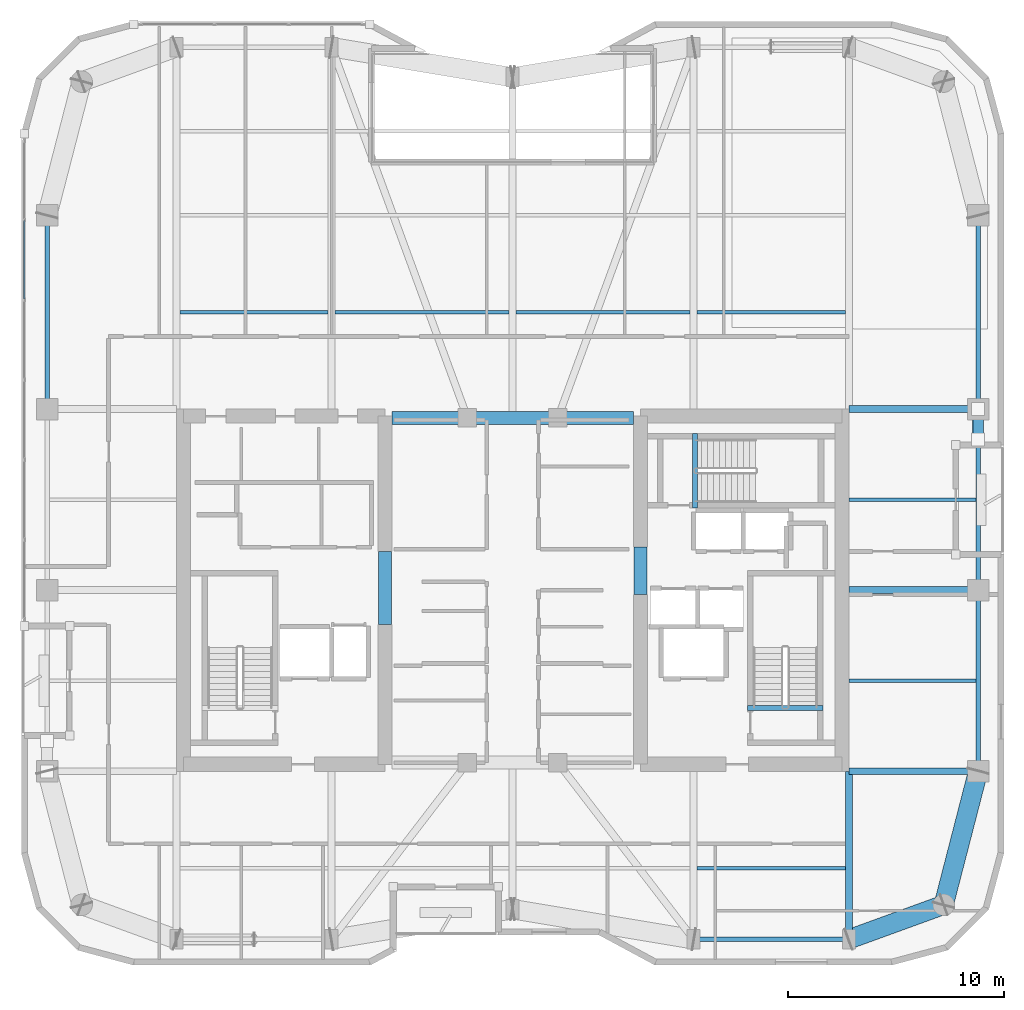
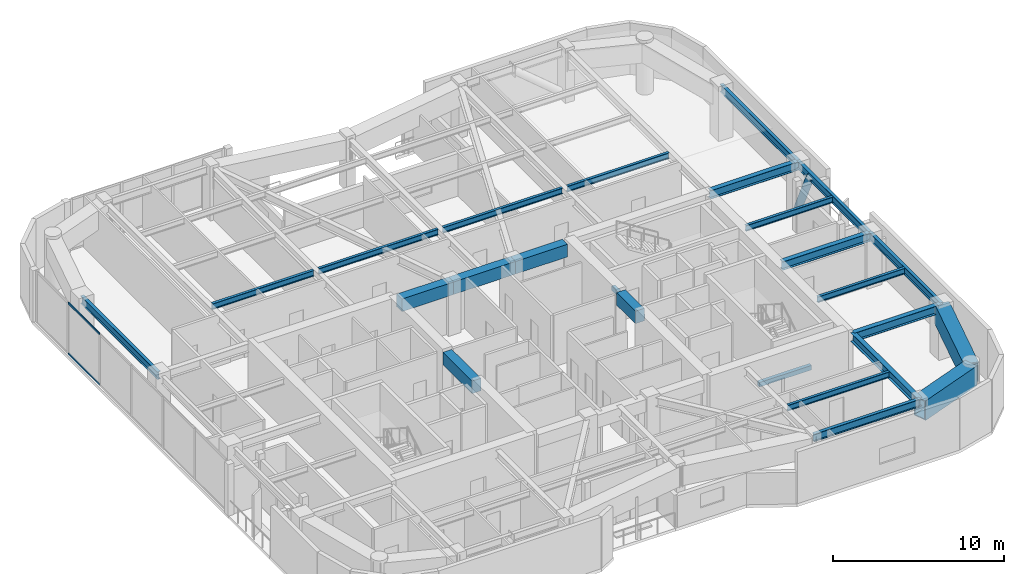
# One storey, part 5 of 22: 25 beams, 3 members, 1 element without a shape of its own.
"""IFC4 building model written with IfcOpenShell, lengths in metres."""

import ifcopenshell
import ifcopenshell.guid

model = None  # the IFC model being written
_history = None  # IfcOwnerHistory: only IFC2X3 demands one
_inside = {}  # id of a spatial element -> (the spatial element, [elements in it])
_under = {}  # id of a project, library or spatial element -> (it, [spatial elements below it])
_declared = {}  # id of a project -> (the project, [libraries it declares])
_typed = {}  # id of a type object -> (the type object, [elements of that type])
_made_of = {}  # id of a material, layer set ... -> (it, [elements and type objects made of it])


def new_model(schema):
    """Start an empty IFC model of exactly this schema.

    Asked for "IFC4X3", IfcOpenShell would pick the latest addendum, in which some entities
    have other attributes; the version numbers below select the first issue.
    IFC2X3 requires an IfcOwnerHistory on every rooted entity: one is made here for all.
    """
    global model, _history
    if schema == "IFC4X3":
        model = ifcopenshell.file(schema_version=(4, 3, 0, 0))
    else:
        model = ifcopenshell.file(schema=schema)
    _inside.clear()
    _under.clear()
    _declared.clear()
    _typed.clear()
    _made_of.clear()
    _history = None
    if model.schema == "IFC2X3":
        org = make("IfcOrganization", Name="unknown")
        user = make(
            "IfcPersonAndOrganization",
            ThePerson=make("IfcPerson", FamilyName="unknown"),
            TheOrganization=org,
        )
        app = make(
            "IfcApplication",
            ApplicationDeveloper=org,
            Version="unknown",
            ApplicationFullName="unknown",
            ApplicationIdentifier="unknown",
        )
        _history = make(
            "IfcOwnerHistory",
            OwningUser=user,
            OwningApplication=app,
            ChangeAction="ADDED",
            CreationDate=0,
        )
    return model


def make(cls, **values):
    """One entity of the class cls with the attributes given. An attribute that is None is left unset."""
    return model.create_entity(
        cls, **{name: value for name, value in values.items() if value is not None}
    )


def rooted(cls, **values):
    """An entity with a GlobalId (a new one), such as an element, a storey or a relation."""
    return make(cls, GlobalId=ifcopenshell.guid.new(), OwnerHistory=_history, **values)


def si_unit(unit_type, name, prefix=None):
    """IfcSIUnit, for example si_unit("LENGTHUNIT", "METRE", prefix="MILLI")."""
    return make("IfcSIUnit", UnitType=unit_type, Prefix=prefix, Name=name)


def assignment(units):
    """IfcUnitAssignment: the units of a project."""
    return None if units is None else make("IfcUnitAssignment", Units=units)


def point(xyz):
    """IfcCartesianPoint."""
    return None if xyz is None else make("IfcCartesianPoint", Coordinates=xyz)


def direction(xyz):
    """IfcDirection."""
    return None if xyz is None else make("IfcDirection", DirectionRatios=xyz)


def frame(location, z_axis=None, x_axis=None):
    """IfcAxis2Placement3D, a coordinate frame: its origin and axes. An axis left out is left unset."""
    return make(
        "IfcAxis2Placement3D",
        Location=point(location),
        Axis=direction(z_axis),
        RefDirection=direction(x_axis),
    )


def frame_2d(location, x_axis=None):
    """IfcAxis2Placement2D, a coordinate frame in the plane: its origin and x axis."""
    return make(
        "IfcAxis2Placement2D", Location=point(location), RefDirection=direction(x_axis)
    )


def origin():
    """The frame at (0, 0, 0) with its axes left unset."""
    return frame((0.0, 0.0, 0.0))


def origin_2d():
    """The frame at (0, 0) in the plane with its x axis left unset."""
    return frame_2d((0.0, 0.0))


def place(relative_to, where):
    """IfcLocalPlacement: puts the frame where relative to a parent placement (None: the world)."""
    return make(
        "IfcLocalPlacement", PlacementRelTo=relative_to, RelativePlacement=where
    )


def context(
    kind, dimensions, precision=None, world=None, true_north=None, identifier=None
):
    """IfcGeometricRepresentationContext, for example the 3D "Model" context."""
    return make(
        "IfcGeometricRepresentationContext",
        ContextIdentifier=identifier,
        ContextType=kind,
        CoordinateSpaceDimension=dimensions,
        Precision=precision,
        WorldCoordinateSystem=world,
        TrueNorth=true_north,
    )


def subcontext(parent, identifier, kind, view, scale=None):
    """IfcGeometricRepresentationSubContext, for example "Body" below "Model"."""
    return make(
        "IfcGeometricRepresentationSubContext",
        ContextIdentifier=identifier,
        ContextType=kind,
        ParentContext=parent,
        TargetScale=scale,
        TargetView=view,
    )


def project(units=None, contexts=None):
    """IfcProject with its units and contexts."""
    return rooted(
        "IfcProject",
        Name="project",
        RepresentationContexts=contexts,
        UnitsInContext=assignment(units),
    )


def spatial(cls, under=None, at=None, **own):
    """A site, building, storey or space (cls), placed at a placement, below another one or the project."""
    s = rooted(cls, ObjectPlacement=at, **own)
    if under is not None:
        _under.setdefault(under.id(), (under, []))[1].append(s)
    return s


def profile(cls, at=None, kind="AREA", **sizes):
    """A parametric profile (cls). Its sizes go by their IFC names, for example OverallWidth=200.0."""
    return make(cls, ProfileType=kind, Position=at, **sizes)


def rectangle(**sizes):
    """IfcRectangleProfileDef."""
    return profile("IfcRectangleProfileDef", **sizes)


def hollow_rectangle(**sizes):
    """IfcRectangleHollowProfileDef."""
    return profile("IfcRectangleHollowProfileDef", **sizes)


def hollow_circle(**sizes):
    """IfcCircleHollowProfileDef."""
    return profile("IfcCircleHollowProfileDef", **sizes)


def i_section(**sizes):
    """IfcIShapeProfileDef."""
    return profile("IfcIShapeProfileDef", **sizes)


def extrude(swept, where, along, depth):
    """IfcExtrudedAreaSolid: the profile swept, set in the frame where, extruded along a direction by depth."""
    return make(
        "IfcExtrudedAreaSolid",
        SweptArea=swept,
        Position=where,
        ExtrudedDirection=direction(along),
        Depth=depth,
    )


def shape(context_of_items, identifier, shape_type, items):
    """IfcShapeRepresentation: the items that make up one representation, for example the "Body"."""
    return make(
        "IfcShapeRepresentation",
        ContextOfItems=context_of_items,
        RepresentationIdentifier=identifier,
        RepresentationType=shape_type,
        Items=items,
    )


def material(Name=None, Category=None):
    """IfcMaterial."""
    return make("IfcMaterial", Name=Name, Category=Category)


def layer(
    of_material, thickness, ventilated=None, Name=None, Category=None, Priority=None
):
    """IfcMaterialLayer: one layer of a wall or slab, of a material (None: an air gap)."""
    return make(
        "IfcMaterialLayer",
        Material=of_material,
        LayerThickness=thickness,
        IsVentilated=ventilated,
        Name=Name,
        Category=Category,
        Priority=Priority,
    )


def layer_set(layers, Name=None):
    """IfcMaterialLayerSet."""
    return make("IfcMaterialLayerSet", MaterialLayers=layers, LayerSetName=Name)


def material_profile(
    of_material, cross_section, Name=None, Category=None, Priority=None
):
    """IfcMaterialProfile: a cross section and its material."""
    return make(
        "IfcMaterialProfile",
        Name=Name,
        Material=of_material,
        Profile=cross_section,
        Priority=Priority,
        Category=Category,
    )


def profile_set(profiles, Name=None, composite=None):
    """IfcMaterialProfileSet."""
    return make(
        "IfcMaterialProfileSet",
        Name=Name,
        MaterialProfiles=profiles,
        CompositeProfile=composite,
    )


def made_of(thing, what):
    """Note that an element or type object is made of a material, layer set ...; save() writes the relation."""
    if what is not None:
        _made_of.setdefault(what.id(), (what, []))[1].append(thing)
    return thing


def type_object(cls, material=None, **own):
    """A type object (cls), such as IfcWallType, which elements share."""
    return made_of(rooted(cls, **own), material)


def element(
    cls,
    number,
    at=None,
    inside=None,
    cuts=None,
    type_object=None,
    material=None,
    context=None,
    identifier="Body",
    shape_type=None,
    held_by="IfcProductDefinitionShape",
    body=None,
    shapes=None,
    **own,
):
    """One element of the class cls, such as IfcWall. Its Tag is "e" and its number.

    at: its placement. inside: the storey or other place that contains it. cuts: it is an
    opening in that element (IfcRelVoidsElement). A single representation is given by context,
    identifier, shape_type and body (its items); several are given by shapes. held_by: the class
    of the entity that holds the representations. save() writes the other relations.
    """
    e = rooted(cls, Tag="e%d" % number, ObjectPlacement=at, **own)
    if body is not None:
        shapes = [shape(context, identifier, shape_type, body)]
    if shapes is not None:
        e.Representation = make(held_by, Representations=shapes)
    if inside is not None:
        _inside.setdefault(inside.id(), (inside, []))[1].append(e)
    if cuts is not None:
        rooted(
            "IfcRelVoidsElement", RelatingBuildingElement=cuts, RelatedOpeningElement=e
        )
    if type_object is not None:
        _typed.setdefault(type_object.id(), (type_object, []))[1].append(e)
    return made_of(e, material)


def aggregate(whole, parts):
    """IfcRelAggregates: a whole, such as a stair, and the parts it consists of."""
    return rooted("IfcRelAggregates", RelatingObject=whole, RelatedObjects=parts)


def save(model, path):
    """Write the relations noted so far, then the file.

    IfcRelAggregates (storeys below a building ...), IfcRelContainedInSpatialStructure (elements
    in a storey), IfcRelDefinesByType, IfcRelAssociatesMaterial and IfcRelDeclares: one each for
    every whole, place, type object, material and project.
    """
    for whole, parts in _under.values():
        aggregate(whole, parts)
    for where, things in _inside.values():
        rooted(
            "IfcRelContainedInSpatialStructure",
            RelatedElements=things,
            RelatingStructure=where,
        )
    for kind, things in _typed.values():
        rooted("IfcRelDefinesByType", RelatedObjects=things, RelatingType=kind)
    for what, things in _made_of.values():
        rooted("IfcRelAssociatesMaterial", RelatedObjects=things, RelatingMaterial=what)
    for by, libraries in _declared.values():
        rooted("IfcRelDeclares", RelatingContext=by, RelatedDefinitions=libraries)
    model.write(path)


model = new_model("IFC4")

# Units and contexts
model_context = context("Model", 3, precision=1e-05, world=origin(), true_north=direction((0.0, 1.0)))
body_context = subcontext(model_context, "Body", "Model", "MODEL_VIEW")
ifc_project = project(units=[si_unit("LENGTHUNIT", "METRE"), si_unit("AREAUNIT", "SQUARE_METRE"), si_unit("VOLUMEUNIT", "CUBIC_METRE"), si_unit("PLANEANGLEUNIT", "RADIAN"), si_unit("MASSUNIT", "GRAM", prefix="KILO")], contexts=[model_context])

# Site, building, storey
site_placement = place(None, origin())
site = spatial("IfcSite", under=ifc_project, at=site_placement, CompositionType="ELEMENT")
building_placement = place(site_placement, origin())
building = spatial("IfcBuilding", under=site, at=building_placement, Name="Kiyonajd Concourse Tower", CompositionType="ELEMENT")
storey_placement = place(building_placement, frame((0.0, 0.0, 243.300048828125)))
storey = spatial("IfcBuildingStorey", under=building, at=storey_placement, Name="L61", CompositionType="ELEMENT", Elevation=243.300048828125)

# Beams
ifc_material_1 = material(Name="Concrete C60/75", Category="concrete")
ifc_material_profile_1 = material_profile(ifc_material_1, rectangle(XDim=0.60009765625, YDim=0.89990234375, at=origin_2d()), Name="RCBM-600x900")
ifc_profile_set_1 = profile_set([ifc_material_profile_1], Name="Concrete C60/75")
beam_type_1 = type_object("IfcBeamType", Name="BM-COUP-900", PredefinedType="LINTEL", material=ifc_profile_set_1)
beam_1_placement = place(storey_placement, frame((42.39990234375, 44.0, 3.22998046875), z_axis=(1.0, 0.0, 0.0), x_axis=(0.0, 1.0, 0.0)))
element("IfcBeam", 1, at=beam_1_placement, inside=storey, type_object=beam_type_1, Name="L61 Core Coupling Beam N1", PredefinedType="LINTEL", context=body_context, shape_type="SweptSolid", body=[
    extrude(rectangle(XDim=0.60009765625, YDim=0.89990234375, at=origin_2d()), origin(), (0.0, 0.0, 1.0), 3.5),
])
beam_2_placement = place(storey_placement, frame((45.89990234375, 44.0, 3.22998046875), z_axis=(1.0, 0.0, 0.0), x_axis=(0.0, 1.0, 0.0)))
element("IfcBeam", 2, at=beam_2_placement, inside=storey, type_object=beam_type_1, Name="L61 Core Coupling Beam N2", PredefinedType="LINTEL", context=body_context, shape_type="SweptSolid", body=[
    extrude(rectangle(XDim=0.60009765625, YDim=0.89990234375, at=origin_2d()), origin(), (0.0, 0.0, 1.0), 4.2001953125),
])
beam_3_placement = place(storey_placement, frame((50.10009765625, 44.0, 3.22998046875), z_axis=(1.0, 0.0, 0.0), x_axis=(0.0, 1.0, 0.0)))
element("IfcBeam", 3, at=beam_3_placement, inside=storey, type_object=beam_type_1, Name="L61 Core Coupling Beam N3", PredefinedType="LINTEL", context=body_context, shape_type="SweptSolid", body=[
    extrude(rectangle(XDim=0.60009765625, YDim=0.89990234375, at=origin_2d()), origin(), (0.0, 0.0, 1.0), 3.5),
])
beam_4_placement = place(storey_placement, frame((42.074951171875, 34.39990234375, 3.22998046875), z_axis=(0.0, 1.0, 0.0), x_axis=(-1.0, 0.0, 0.0)))
element("IfcBeam", 4, at=beam_4_placement, inside=storey, type_object=beam_type_1, Name="L61 West Core Throat Coupling Lintel", PredefinedType="LINTEL", context=body_context, shape_type="SweptSolid", body=[
    extrude(rectangle(XDim=0.60009765625, YDim=0.89990234375, at=origin_2d()), origin(), (0.0, 0.0, 1.0), 3.400146484375),
])
beam_5_placement = place(storey_placement, frame((53.925048828125, 35.800048828125, 3.22998046875), z_axis=(0.0, 1.0, 0.0), x_axis=(-1.0, 0.0, 0.0)))
element("IfcBeam", 5, at=beam_5_placement, inside=storey, type_object=beam_type_1, Name="L61 East Core Throat Coupling Lintel", PredefinedType="LINTEL", context=body_context, shape_type="SweptSolid", body=[
    extrude(rectangle(XDim=0.60009765625, YDim=0.89990234375, at=origin_2d()), origin(), (0.0, 0.0, 1.0), 2.199951171875),
])
ifc_material_2 = material(Name="Steel ASTM A992 Grade 50", Category="steel")
ifc_material_profile_2 = material_profile(ifc_material_2, i_section(OverallWidth=0.180908203125, OverallDepth=0.4169921875, WebThickness=0.010986328125, FlangeThickness=0.018310546875, at=origin_2d()), Name="W410X85")
ifc_profile_set_2 = profile_set([ifc_material_profile_2], Name="Steel ASTM A992 Grade 50")
beam_type_2 = type_object("IfcBeamType", Name="BM-JST-410", PredefinedType="JOIST", material=ifc_profile_set_2)
for number, where, z_axis, x_axis, name in (
    (6, (56.56201171875, 23.10009765625, 3.471435546875), (1.0, 0.0, 0.0), (0.0, 1.0, 0.0), "L61 Secondary Floor Joist"),
    (7, (32.56201171875, 48.89990234375, 3.471435546875), (1.0, 0.0, 0.0), (0.0, 1.0, 0.0), "L61 Secondary Floor Joist"),
):
    element("IfcBeam", number, at=place(storey_placement, frame(where, z_axis=z_axis, x_axis=x_axis)), inside=storey, type_object=beam_type_2, Name=name, PredefinedType="JOIST", context=body_context, shape_type="SweptSolid", body=[
        extrude(i_section(OverallWidth=0.180908203125, OverallDepth=0.4169921875, WebThickness=0.010986328125, FlangeThickness=0.018310546875, at=origin_2d()), origin(), (0.0, 0.0, 1.0), 6.8759765625),
    ])
for number, where, z_axis, x_axis, name in (
    (8, (39.761962890625, 48.89990234375, 3.471435546875), (1.0, 0.0, 0.0), (0.0, 1.0, 0.0), "L61 Secondary Floor Joist"),
    (9, (48.162109375, 48.89990234375, 3.471435546875), (1.0, 0.0, 0.0), (0.0, 1.0, 0.0), "L61 Secondary Floor Joist"),
):
    element("IfcBeam", number, at=place(storey_placement, frame(where, z_axis=z_axis, x_axis=x_axis)), inside=storey, type_object=beam_type_2, Name=name, PredefinedType="JOIST", context=body_context, shape_type="SweptSolid", body=[
        extrude(i_section(OverallWidth=0.180908203125, OverallDepth=0.4169921875, WebThickness=0.010986328125, FlangeThickness=0.018310546875, at=origin_2d()), origin(), (0.0, 0.0, 1.0), 8.075927734375),
    ])
beam_6_placement = place(storey_placement, frame((56.56201171875, 48.89990234375, 3.471435546875), z_axis=(1.0, 0.0, 0.0), x_axis=(0.0, 1.0, 0.0)))
element("IfcBeam", 10, at=beam_6_placement, inside=storey, type_object=beam_type_2, Name="L61 Secondary Floor Joist", PredefinedType="JOIST", context=body_context, shape_type="SweptSolid", body=[
    extrude(i_section(OverallWidth=0.180908203125, OverallDepth=0.4169921875, WebThickness=0.010986328125, FlangeThickness=0.018310546875, at=origin_2d()), origin(), (0.0, 0.0, 1.0), 6.8759765625),
])
for number, where, z_axis, x_axis, name in (
    (11, (63.60009765625, 31.800048828125, 3.471435546875), (1.0, 0.0, 0.0), (0.0, 1.0, 0.0), "L61 East Secondary Floor Joist"),
    (12, (63.60009765625, 40.199951171875, 3.471435546875), (1.0, 0.0, 0.0), (0.0, 1.0, 0.0), "L61 East Secondary Floor Joist"),
):
    element("IfcBeam", number, at=place(storey_placement, frame(where, z_axis=z_axis, x_axis=x_axis)), inside=storey, type_object=beam_type_2, Name=name, PredefinedType="JOIST", context=body_context, shape_type="SweptSolid", body=[
        extrude(i_section(OverallWidth=0.180908203125, OverallDepth=0.4169921875, WebThickness=0.010986328125, FlangeThickness=0.018310546875, at=origin_2d()), origin(), (0.0, 0.0, 1.0), 5.892822265625),
    ])
ifc_material_3 = material(Name="Concrete C50/60", Category="concrete")
ifc_material_profile_3 = material_profile(ifc_material_3, rectangle(XDim=0.239990234375, YDim=0.320068359375, at=origin_2d()), Name="RCBM-240x320")
ifc_profile_set_3 = profile_set([ifc_material_profile_3], Name="Concrete C50/60")
beam_type_3 = type_object("IfcBeamType", Name="BM-LNT-250", PredefinedType="LINTEL", material=ifc_profile_set_3)
beam_7_placement = place(storey_placement, frame((58.889892578125, 30.530029296875, -0.16015625), z_axis=(1.0, 0.0, 0.0), x_axis=(0.0, 1.0, 0.0)))
element("IfcBeam", 13, at=beam_7_placement, inside=storey, type_object=beam_type_3, Name="L61 Stair ST2 Threshold Support Beam", PredefinedType="LINTEL", context=body_context, shape_type="SweptSolid", body=[
    extrude(rectangle(XDim=0.239990234375, YDim=0.320068359375, at=origin_2d()), origin(), (0.0, 0.0, 1.0), 3.52001953125),
])
beam_8_placement = place(storey_placement, frame((56.4599609375, 39.820068359375, -0.16015625), z_axis=(0.0, 1.0, 0.0), x_axis=(-1.0, 0.0, 0.0)))
element("IfcBeam", 14, at=beam_8_placement, inside=storey, type_object=beam_type_3, Name="L61 Stair ST3 Threshold Support Beam", PredefinedType="LINTEL", context=body_context, shape_type="SweptSolid", body=[
    extrude(rectangle(XDim=0.239990234375, YDim=0.320068359375, at=origin_2d()), origin(), (0.0, 0.0, 1.0), 3.4599609375),
])
ifc_material_profile_4 = material_profile(ifc_material_2, i_section(OverallWidth=0.214111328125, OverallDepth=0.549072265625, WebThickness=0.0146484375, FlangeThickness=0.023681640625, at=origin_2d()), Name="W530X138")
ifc_profile_set_4 = profile_set([ifc_material_profile_4], Name="Steel ASTM A992 Grade 50")
beam_type_4 = type_object("IfcBeamType", Name="BM-SPAN-530A", PredefinedType="SPANDREL", material=ifc_profile_set_4)
beam_9_placement = place(storey_placement, frame((56.39990234375, 19.800048828125, 3.405517578125), z_axis=(1.0, 0.0, 0.0), x_axis=(0.0, 1.0, 0.0)))
element("IfcBeam", 15, at=beam_9_placement, inside=storey, type_object=beam_type_4, Name="L61 Perimeter Bundled Tube Spandrel", PredefinedType="SPANDREL", context=body_context, shape_type="SweptSolid", body=[
    extrude(i_section(OverallWidth=0.214111328125, OverallDepth=0.549072265625, WebThickness=0.0146484375, FlangeThickness=0.023681640625, at=origin_2d()), origin(), (0.0, 0.0, 1.0), 7.2001953125),
])
for number, where, z_axis, x_axis, name in (
    (16, (69.60009765625, 27.60009765625, 3.405517578125), (0.0, 1.0, 0.0), (-1.0, 0.0, 0.0), "L61 Perimeter Bundled Tube Spandrel"),
    (17, (69.60009765625, 36.0, 3.405517578125), (0.0, 1.0, 0.0), (-1.0, 0.0, 0.0), "L61 Perimeter Bundled Tube Spandrel"),
):
    element("IfcBeam", number, at=place(storey_placement, frame(where, z_axis=z_axis, x_axis=x_axis)), inside=storey, type_object=beam_type_4, Name=name, PredefinedType="SPANDREL", context=body_context, shape_type="SweptSolid", body=[
        extrude(i_section(OverallWidth=0.214111328125, OverallDepth=0.549072265625, WebThickness=0.0146484375, FlangeThickness=0.023681640625, at=origin_2d()), origin(), (0.0, 0.0, 1.0), 8.39990234375),
    ])
for number, where, z_axis, x_axis, name in (
    (18, (69.60009765625, 44.39990234375, 3.405517578125), (0.0, 1.0, 0.0), (-1.0, 0.0, 0.0), "L61 Perimeter Bundled Tube Spandrel"),
    (19, (26.39990234375, 53.39990234375, 3.405517578125), (0.0, -1.0, 0.0), (1.0, 0.0, 0.0), "L61 Perimeter Bundled Tube Spandrel"),
):
    element("IfcBeam", number, at=place(storey_placement, frame(where, z_axis=z_axis, x_axis=x_axis)), inside=storey, type_object=beam_type_4, Name=name, PredefinedType="SPANDREL", context=body_context, shape_type="SweptSolid", body=[
        extrude(i_section(OverallWidth=0.214111328125, OverallDepth=0.549072265625, WebThickness=0.0146484375, FlangeThickness=0.023681640625, at=origin_2d()), origin(), (0.0, 0.0, 1.0), 9.0),
    ])
ifc_material_profile_5 = material_profile(ifc_material_2, i_section(OverallWidth=0.323974609375, OverallDepth=0.611083984375, WebThickness=0.0126953125, FlangeThickness=0.01904296875, at=origin_2d()), Name="W610X155")
ifc_profile_set_5 = profile_set([ifc_material_profile_5], Name="Steel ASTM A992 Grade 50")
beam_type_5 = type_object("IfcBeamType", Name="BM-TWR-610B", PredefinedType="BEAM", material=ifc_profile_set_5)
beam_10_placement = place(storey_placement, frame((63.60009765625, 19.800048828125, 3.37451171875), z_axis=(0.0, 1.0, 0.0), x_axis=(-1.0, 0.0, 0.0)))
element("IfcBeam", 20, at=beam_10_placement, inside=storey, type_object=beam_type_5, Name="L61 South Lease Girder", PredefinedType="BEAM", context=body_context, shape_type="SweptSolid", body=[
    extrude(i_section(OverallWidth=0.323974609375, OverallDepth=0.611083984375, WebThickness=0.0126953125, FlangeThickness=0.01904296875, at=origin_2d()), origin(), (0.0, 0.0, 1.0), 7.800048828125),
])
for number, where, z_axis, x_axis, name in (
    (21, (63.60009765625, 27.60009765625, 3.37451171875), (1.0, 0.0, 0.0), (0.0, 1.0, 0.0), "L61 East Lease Girder"),
    (22, (63.60009765625, 36.0, 3.37451171875), (1.0, 0.0, 0.0), (0.0, 1.0, 0.0), "L61 East Lease Girder"),
    (23, (63.60009765625, 44.39990234375, 3.37451171875), (1.0, 0.0, 0.0), (0.0, 1.0, 0.0), "L61 East Lease Girder"),
):
    element("IfcBeam", number, at=place(storey_placement, frame(where, z_axis=z_axis, x_axis=x_axis)), inside=storey, type_object=beam_type_5, Name=name, PredefinedType="BEAM", context=body_context, shape_type="SweptSolid", body=[
        extrude(i_section(OverallWidth=0.323974609375, OverallDepth=0.611083984375, WebThickness=0.0126953125, FlangeThickness=0.01904296875, at=origin_2d()), origin(), (0.0, 0.0, 1.0), 6.0),
    ])
ifc_material_4 = material(Name="Steel ASTM A572 Grade 50", Category="steel")
ifc_material_profile_6 = material_profile(ifc_material_4, hollow_rectangle(XDim=0.89990234375, YDim=1.39990234375, WallThickness=0.070068359375, at=origin_2d()), Name="BOX-1400x900x70")
ifc_profile_set_6 = profile_set([ifc_material_profile_6], Name="Steel ASTM A572 Grade 50")
beam_type_6 = type_object("IfcBeamType", Name="BM-XFER-1400", PredefinedType="BEAM", material=ifc_profile_set_6)
beam_11_placement = place(storey_placement, frame((63.60009765625, 19.800048828125, 2.97998046875), z_axis=(0.939801036019, 0.341722127901, 0.0), x_axis=(-0.341722127901, 0.939801036019, 0.0)))
element("IfcBeam", 24, at=beam_11_placement, inside=storey, type_object=beam_type_6, Name="L61 Perimeter Bundled Tube Spandrel", PredefinedType="BEAM", context=body_context, shape_type="SweptSolid", body=[
    extrude(hollow_rectangle(XDim=0.89990234375, YDim=1.39990234375, WallThickness=0.070068359375, at=origin_2d()), origin(), (0.0, 0.0, 1.0), 4.681640625),
])
beam_12_placement = place(storey_placement, frame((68.0, 21.39990234375, 2.97998046875), z_axis=(0.249884937687, 0.968275538221, 0.0), x_axis=(-0.968275538221, 0.249884937687, 0.0)))
element("IfcBeam", 25, at=beam_12_placement, inside=storey, type_object=beam_type_6, Name="L61 Perimeter Bundled Tube Spandrel", PredefinedType="BEAM", context=body_context, shape_type="SweptSolid", body=[
    extrude(hollow_rectangle(XDim=0.89990234375, YDim=1.39990234375, WallThickness=0.070068359375, at=origin_2d()), origin(), (0.0, 0.0, 1.0), 6.4033203125),
])

# Curtain wall, members
ifc_material_5 = material(Name="Thermally Broken Anodised Aluminium", Category="aluminium")
ifc_layer = layer(ifc_material_5, 0.179931640625)
ifc_layer_set = layer_set([ifc_layer], Name="Thermally Broken Anodised Aluminium")
curtain_wall_type = type_object("IfcCurtainWallType", Name="CW-SYS-04", PredefinedType="NOTDEFINED", material=ifc_layer_set)
curtain_wall_placement = place(storey_placement, origin())
curtain_wall = element("IfcCurtainWall", 26, at=curtain_wall_placement, inside=storey, type_object=curtain_wall_type, Name="L61 Unitised Curtain Wall CW4", PredefinedType="NOTDEFINED")
ifc_material_profile_7 = material_profile(ifc_material_5, hollow_rectangle(XDim=0.06494140625, YDim=0.139892578125, WallThickness=0.00390625, at=origin_2d()), Name="TRAN-65x140")
ifc_profile_set_7 = profile_set([ifc_material_profile_7], Name="Thermally Broken Anodised Aluminium")
member_type_1 = type_object("IfcMemberType", Name="MB-CW-TRAN1", PredefinedType="USERDEFINED", material=ifc_profile_set_7)
member_1_placement = place(storey_placement, frame((25.340087890625, 49.503662109375, 0.032470703125), z_axis=(0.0, 1.0, 0.0), x_axis=(-1.0, 0.0, 0.0)))
member_1 = element("IfcMember", 27, at=member_1_placement, type_object=member_type_1, Name="CW4 transom 5.1", ObjectType="TRANSOM", PredefinedType="USERDEFINED", context=body_context, shape_type="SweptSolid", body=[
    extrude(hollow_rectangle(XDim=0.06494140625, YDim=0.139892578125, WallThickness=0.00390625, at=origin_2d()), origin(), (0.0, 0.0, 1.0), 3.645263671875),
])
member_2_placement = place(storey_placement, frame((25.340087890625, 49.503662109375, 3.6474609375), z_axis=(0.0, 1.0, 0.0), x_axis=(-1.0, 0.0, 0.0)))
member_2 = element("IfcMember", 28, at=member_2_placement, type_object=member_type_1, Name="CW4 transom 5.2", ObjectType="TRANSOM", PredefinedType="USERDEFINED", context=body_context, shape_type="SweptSolid", body=[
    extrude(hollow_rectangle(XDim=0.06494140625, YDim=0.139892578125, WallThickness=0.00390625, at=origin_2d()), origin(), (0.0, 0.0, 1.0), 3.645263671875),
])
aggregate(curtain_wall, [member_1, member_2])

# Member
ifc_material_6 = material(Name="Steel ASTM A500 Grade C", Category="steel")
ifc_material_profile_8 = material_profile(ifc_material_6, hollow_circle(Radius=0.25390625, WallThickness=0.02197265625, at=origin_2d()), Name="CHS-508x22")
ifc_profile_set_8 = profile_set([ifc_material_profile_8], Name="Steel ASTM A500 Grade C")
member_type_2 = type_object("IfcMemberType", Name="MB-PB-MID", PredefinedType="BRACE", material=ifc_profile_set_8)
member_3_placement = place(storey_placement, frame((69.60009765625, 44.39990234375, 0.300048828125), z_axis=(0.0, -0.419438517439, 0.907783746323), x_axis=(1.0, 0.0, 0.0)))
element("IfcMember", 29, at=member_3_placement, inside=storey, type_object=member_type_2, Name="L61 Upper Zone Hollow Tube Brace PBE", PredefinedType="BRACE", context=body_context, shape_type="SweptSolid", body=[
    extrude(hollow_circle(Radius=0.25390625, WallThickness=0.02197265625, at=origin_2d()), origin(), (0.0, 0.0, 1.0), 3.337646484375),
])

save(model, "model.ifc")
